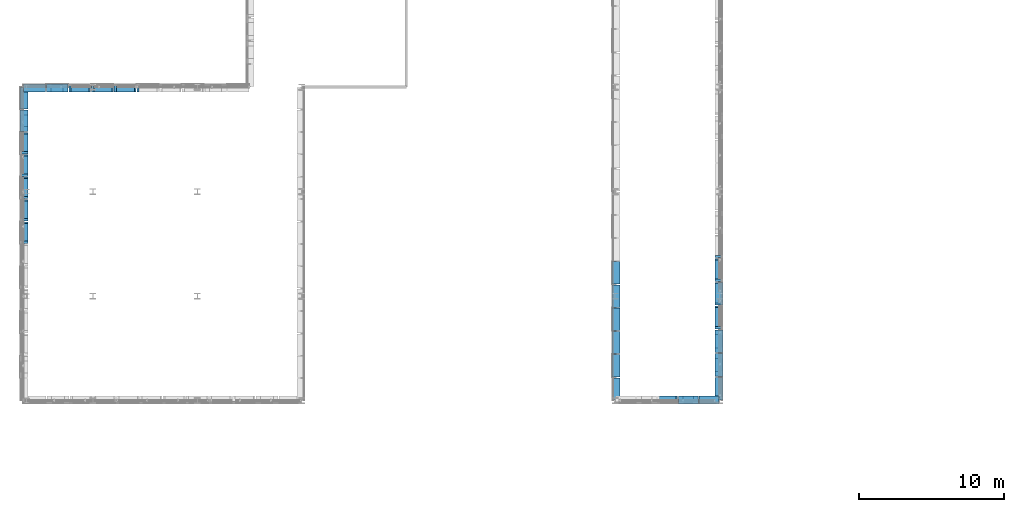
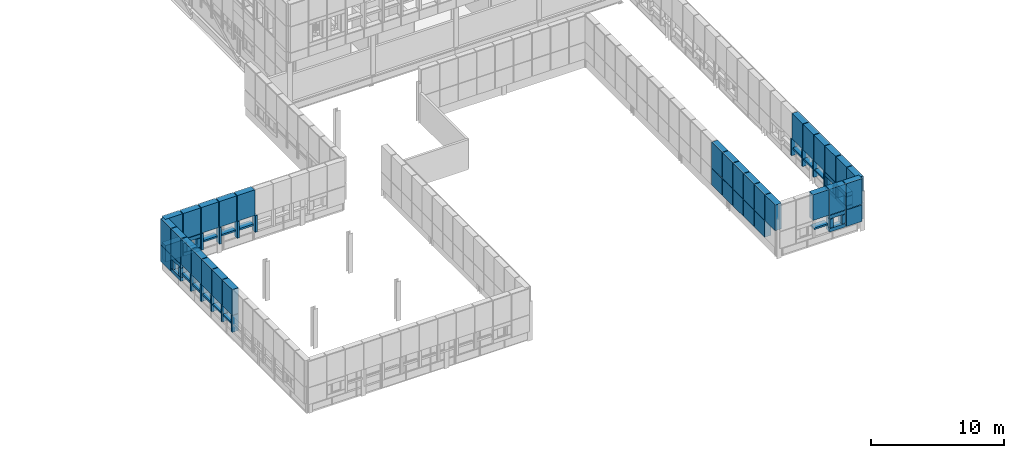
# One storey, part 64 of 96: 81 discrete accessories.
"""IFC4 building model written with IfcOpenShell, lengths in metres."""

from ifc_helpers import new_model, si_unit, direction, frame, origin, origin_2d, place, context, subcontext, project, spatial, rectangle, extrude, material, type_object, element, save


model = new_model("IFC4")

# Units and contexts
model_context = context("Model", 3, precision=1e-05, world=origin(), true_north=direction((0.0, 1.0)))
body_context = subcontext(model_context, "Body", "Model", "MODEL_VIEW")
ifc_project = project(units=[si_unit("LENGTHUNIT", "METRE"), si_unit("AREAUNIT", "SQUARE_METRE"), si_unit("VOLUMEUNIT", "CUBIC_METRE"), si_unit("PLANEANGLEUNIT", "RADIAN"), si_unit("MASSUNIT", "GRAM", prefix="KILO")], contexts=[model_context])

# Site, building, storey
site_placement = place(None, origin())
site = spatial("IfcSite", under=ifc_project, at=site_placement, CompositionType="ELEMENT")
building_placement = place(site_placement, origin())
building = spatial("IfcBuilding", under=site, at=building_placement, Name="Yarey Park Central Fire Station", CompositionType="ELEMENT")
storey_placement = place(building_placement, frame((0.0, 0.0, 14.39990234375)))
storey = spatial("IfcBuildingStorey", under=building, at=storey_placement, Name="L04", CompositionType="ELEMENT", Elevation=14.39990234375)

# Discrete accessories
ifc_material = material(Name="Stainless Steel AISI 316L", Category="steel")
discrete_accessory_type = type_object("IfcDiscreteAccessoryType", Name="ENV_BRK_SS1", PredefinedType="BRACKET", material=ifc_material)
discrete_accessory_1_placement = place(storey_placement, frame((9.64990234375, 32.510009765625, 0.875), z_axis=(0.0, 0.0, 1.0), x_axis=(1.0, 0.0, 0.0)))
element("IfcDiscreteAccessory", 1, at=discrete_accessory_1_placement, inside=storey, type_object=discrete_accessory_type, Name="BRK_PERF_L04_0056", PredefinedType="BRACKET", context=body_context, shape_type="SweptSolid", body=[
    extrude(rectangle(XDim=0.5400390625, YDim=0.159912109375, at=origin_2d()), origin(), (0.0, 0.0, 1.0), 1.52001953125),
])
discrete_accessory_2_placement = place(storey_placement, frame((9.64990234375, 33.17138671875, 1.55517578125), z_axis=(0.0, 0.0, 1.0), x_axis=(1.0, 0.0, 0.0)))
element("IfcDiscreteAccessory", 2, at=discrete_accessory_2_placement, inside=storey, type_object=discrete_accessory_type, Name="BRK_PERF_L04_0057", PredefinedType="BRACKET", context=body_context, shape_type="SweptSolid", body=[
    extrude(rectangle(XDim=0.5400390625, YDim=1.282958984375, at=origin_2d()), origin(), (0.0, 0.0, 1.0), 0.159912109375),
])
discrete_accessory_3_placement = place(storey_placement, frame((9.64990234375, 33.17138671875, 2.445068359375), z_axis=(0.0, 0.0, 1.0), x_axis=(1.0, 0.0, 0.0)))
element("IfcDiscreteAccessory", 3, at=discrete_accessory_3_placement, inside=storey, type_object=discrete_accessory_type, Name="BRK_PERF_L04_0058", PredefinedType="BRACKET", context=body_context, shape_type="SweptSolid", body=[
    extrude(rectangle(XDim=0.5400390625, YDim=1.48291015625, at=origin_2d()), origin(), (0.0, 0.0, 1.0), 2.35009765625),
])
discrete_accessory_4_placement = place(storey_placement, frame((9.64990234375, 34.052978515625, 0.875), z_axis=(0.0, 0.0, 1.0), x_axis=(1.0, 0.0, 0.0)))
element("IfcDiscreteAccessory", 4, at=discrete_accessory_4_placement, inside=storey, type_object=discrete_accessory_type, Name="BRK_PERF_L04_0063", PredefinedType="BRACKET", context=body_context, shape_type="SweptSolid", body=[
    extrude(rectangle(XDim=0.5400390625, YDim=0.159912109375, at=origin_2d()), origin(), (0.0, 0.0, 1.0), 1.52001953125),
])
discrete_accessory_5_placement = place(storey_placement, frame((9.64990234375, 34.71435546875, 1.55517578125), z_axis=(0.0, 0.0, 1.0), x_axis=(1.0, 0.0, 0.0)))
element("IfcDiscreteAccessory", 5, at=discrete_accessory_5_placement, inside=storey, type_object=discrete_accessory_type, Name="BRK_PERF_L04_0064", PredefinedType="BRACKET", context=body_context, shape_type="SweptSolid", body=[
    extrude(rectangle(XDim=0.5400390625, YDim=1.282958984375, at=origin_2d()), origin(), (0.0, 0.0, 1.0), 0.159912109375),
])
discrete_accessory_6_placement = place(storey_placement, frame((9.64990234375, 34.71435546875, 2.445068359375), z_axis=(0.0, 0.0, 1.0), x_axis=(1.0, 0.0, 0.0)))
element("IfcDiscreteAccessory", 6, at=discrete_accessory_6_placement, inside=storey, type_object=discrete_accessory_type, Name="BRK_PERF_L04_0065", PredefinedType="BRACKET", context=body_context, shape_type="SweptSolid", body=[
    extrude(rectangle(XDim=0.5400390625, YDim=1.48291015625, at=origin_2d()), origin(), (0.0, 0.0, 1.0), 2.35009765625),
])
discrete_accessory_7_placement = place(storey_placement, frame((9.64990234375, 35.595703125, 0.875), z_axis=(0.0, 0.0, 1.0), x_axis=(1.0, 0.0, 0.0)))
element("IfcDiscreteAccessory", 7, at=discrete_accessory_7_placement, inside=storey, type_object=discrete_accessory_type, Name="BRK_PERF_L04_0070", PredefinedType="BRACKET", context=body_context, shape_type="SweptSolid", body=[
    extrude(rectangle(XDim=0.5400390625, YDim=0.159912109375, at=origin_2d()), origin(), (0.0, 0.0, 1.0), 1.52001953125),
])
discrete_accessory_8_placement = place(storey_placement, frame((9.64990234375, 36.257080078125, 1.55517578125), z_axis=(0.0, 0.0, 1.0), x_axis=(1.0, 0.0, 0.0)))
element("IfcDiscreteAccessory", 8, at=discrete_accessory_8_placement, inside=storey, type_object=discrete_accessory_type, Name="BRK_PERF_L04_0071", PredefinedType="BRACKET", context=body_context, shape_type="SweptSolid", body=[
    extrude(rectangle(XDim=0.5400390625, YDim=1.282958984375, at=origin_2d()), origin(), (0.0, 0.0, 1.0), 0.159912109375),
])
discrete_accessory_9_placement = place(storey_placement, frame((9.64990234375, 36.257080078125, 2.445068359375), z_axis=(0.0, 0.0, 1.0), x_axis=(1.0, 0.0, 0.0)))
element("IfcDiscreteAccessory", 9, at=discrete_accessory_9_placement, inside=storey, type_object=discrete_accessory_type, Name="BRK_PERF_L04_0072", PredefinedType="BRACKET", context=body_context, shape_type="SweptSolid", body=[
    extrude(rectangle(XDim=0.5400390625, YDim=1.48291015625, at=origin_2d()), origin(), (0.0, 0.0, 1.0), 2.35009765625),
])
discrete_accessory_10_placement = place(storey_placement, frame((9.64990234375, 37.138671875, 0.875), z_axis=(0.0, 0.0, 1.0), x_axis=(1.0, 0.0, 0.0)))
element("IfcDiscreteAccessory", 10, at=discrete_accessory_10_placement, inside=storey, type_object=discrete_accessory_type, Name="BRK_PERF_L04_0077", PredefinedType="BRACKET", context=body_context, shape_type="SweptSolid", body=[
    extrude(rectangle(XDim=0.5400390625, YDim=0.159912109375, at=origin_2d()), origin(), (0.0, 0.0, 1.0), 1.52001953125),
])
discrete_accessory_11_placement = place(storey_placement, frame((9.64990234375, 37.800048828125, 1.55517578125), z_axis=(0.0, 0.0, 1.0), x_axis=(1.0, 0.0, 0.0)))
element("IfcDiscreteAccessory", 11, at=discrete_accessory_11_placement, inside=storey, type_object=discrete_accessory_type, Name="BRK_PERF_L04_0078", PredefinedType="BRACKET", context=body_context, shape_type="SweptSolid", body=[
    extrude(rectangle(XDim=0.5400390625, YDim=1.282958984375, at=origin_2d()), origin(), (0.0, 0.0, 1.0), 0.159912109375),
])
discrete_accessory_12_placement = place(storey_placement, frame((9.64990234375, 37.800048828125, 2.445068359375), z_axis=(0.0, 0.0, 1.0), x_axis=(1.0, 0.0, 0.0)))
element("IfcDiscreteAccessory", 12, at=discrete_accessory_12_placement, inside=storey, type_object=discrete_accessory_type, Name="BRK_PERF_L04_0079", PredefinedType="BRACKET", context=body_context, shape_type="SweptSolid", body=[
    extrude(rectangle(XDim=0.5400390625, YDim=1.48291015625, at=origin_2d()), origin(), (0.0, 0.0, 1.0), 2.35009765625),
])
discrete_accessory_13_placement = place(storey_placement, frame((9.64990234375, 38.681396484375, 0.875), z_axis=(0.0, 0.0, 1.0), x_axis=(1.0, 0.0, 0.0)))
element("IfcDiscreteAccessory", 13, at=discrete_accessory_13_placement, inside=storey, type_object=discrete_accessory_type, Name="BRK_PERF_L04_0084", PredefinedType="BRACKET", context=body_context, shape_type="SweptSolid", body=[
    extrude(rectangle(XDim=0.5400390625, YDim=0.159912109375, at=origin_2d()), origin(), (0.0, 0.0, 1.0), 1.52001953125),
])
discrete_accessory_14_placement = place(storey_placement, frame((9.64990234375, 39.343017578125, 1.55517578125), z_axis=(0.0, 0.0, 1.0), x_axis=(1.0, 0.0, 0.0)))
element("IfcDiscreteAccessory", 14, at=discrete_accessory_14_placement, inside=storey, type_object=discrete_accessory_type, Name="BRK_PERF_L04_0085", PredefinedType="BRACKET", context=body_context, shape_type="SweptSolid", body=[
    extrude(rectangle(XDim=0.5400390625, YDim=1.282958984375, at=origin_2d()), origin(), (0.0, 0.0, 1.0), 0.159912109375),
])
discrete_accessory_15_placement = place(storey_placement, frame((9.64990234375, 39.343017578125, 2.445068359375), z_axis=(0.0, 0.0, 1.0), x_axis=(1.0, 0.0, 0.0)))
element("IfcDiscreteAccessory", 15, at=discrete_accessory_15_placement, inside=storey, type_object=discrete_accessory_type, Name="BRK_PERF_L04_0086", PredefinedType="BRACKET", context=body_context, shape_type="SweptSolid", body=[
    extrude(rectangle(XDim=0.5400390625, YDim=1.48291015625, at=origin_2d()), origin(), (0.0, 0.0, 1.0), 2.35009765625),
])
for number, where, z_axis, x_axis, name in (
    (16, (9.64990234375, 40.8857421875, 0.8701171875), (0.0, 0.0, 1.0), (1.0, 0.0, 0.0), "BRK_PERF_L04_0093"),
    (17, (9.64990234375, 40.8857421875, 2.080078125), (0.0, 0.0, 1.0), (1.0, 0.0, 0.0), "BRK_PERF_L04_0094"),
):
    element("IfcDiscreteAccessory", number, at=place(storey_placement, frame(where, z_axis=z_axis, x_axis=x_axis)), inside=storey, type_object=discrete_accessory_type, Name=name, PredefinedType="BRACKET", context=body_context, shape_type="SweptSolid", body=[
        extrude(rectangle(XDim=0.5400390625, YDim=1.48291015625, at=origin_2d()), origin(), (0.0, 0.0, 1.0), 0.320068359375),
    ])
for number, where, z_axis, x_axis, name in (
    (18, (9.64990234375, 40.314208984375, 1.23486328125), (0.0, 0.0, 1.0), (1.0, 0.0, 0.0), "BRK_PERF_L04_0095"),
    (19, (9.64990234375, 41.45703125, 1.23486328125), (0.0, 0.0, 1.0), (1.0, 0.0, 0.0), "BRK_PERF_L04_0096"),
):
    element("IfcDiscreteAccessory", number, at=place(storey_placement, frame(where, z_axis=z_axis, x_axis=x_axis)), inside=storey, type_object=discrete_accessory_type, Name=name, PredefinedType="BRACKET", context=body_context, shape_type="SweptSolid", body=[
        extrude(rectangle(XDim=0.5400390625, YDim=0.320068359375, at=origin_2d()), origin(), (0.0, 0.0, 1.0), 0.800048828125),
    ])
discrete_accessory_16_placement = place(storey_placement, frame((9.64990234375, 40.8857421875, 2.445068359375), z_axis=(0.0, 0.0, 1.0), x_axis=(1.0, 0.0, 0.0)))
element("IfcDiscreteAccessory", 20, at=discrete_accessory_16_placement, inside=storey, type_object=discrete_accessory_type, Name="BRK_PERF_L04_0097", PredefinedType="BRACKET", context=body_context, shape_type="SweptSolid", body=[
    extrude(rectangle(XDim=0.5400390625, YDim=1.48291015625, at=origin_2d()), origin(), (0.0, 0.0, 1.0), 2.35009765625),
])
discrete_accessory_17_placement = place(storey_placement, frame((9.64990234375, 42.4287109375, 0.875), z_axis=(0.0, 0.0, 1.0), x_axis=(1.0, 0.0, 0.0)))
element("IfcDiscreteAccessory", 21, at=discrete_accessory_17_placement, inside=storey, type_object=discrete_accessory_type, Name="BRK_PERF_L04_0101", PredefinedType="BRACKET", context=body_context, shape_type="SweptSolid", body=[
    extrude(rectangle(XDim=0.5400390625, YDim=1.48291015625, at=origin_2d()), origin(), (0.0, 0.0, 1.0), 1.52001953125),
])
discrete_accessory_18_placement = place(storey_placement, frame((9.64990234375, 42.4287109375, 2.445068359375), z_axis=(0.0, 0.0, 1.0), x_axis=(1.0, 0.0, 0.0)))
element("IfcDiscreteAccessory", 22, at=discrete_accessory_18_placement, inside=storey, type_object=discrete_accessory_type, Name="BRK_PERF_L04_0102", PredefinedType="BRACKET", context=body_context, shape_type="SweptSolid", body=[
    extrude(rectangle(XDim=0.5400390625, YDim=1.48291015625, at=origin_2d()), origin(), (0.0, 0.0, 1.0), 2.35009765625),
])
discrete_accessory_19_placement = place(storey_placement, frame((10.3798828125, 43.14990234375, 0.875), z_axis=(0.0, 0.0, 1.0), x_axis=(1.0, 0.0, 0.0)))
element("IfcDiscreteAccessory", 23, at=discrete_accessory_19_placement, inside=storey, type_object=discrete_accessory_type, Name="BRK_PERF_L04_0194", PredefinedType="BRACKET", context=body_context, shape_type="SweptSolid", body=[
    extrude(rectangle(XDim=1.5, YDim=0.5400390625, at=origin_2d()), origin(), (0.0, 0.0, 1.0), 1.52001953125),
])
discrete_accessory_20_placement = place(storey_placement, frame((10.3798828125, 43.14990234375, 2.445068359375), z_axis=(0.0, 0.0, 1.0), x_axis=(1.0, 0.0, 0.0)))
element("IfcDiscreteAccessory", 24, at=discrete_accessory_20_placement, inside=storey, type_object=discrete_accessory_type, Name="BRK_PERF_L04_0195", PredefinedType="BRACKET", context=body_context, shape_type="SweptSolid", body=[
    extrude(rectangle(XDim=1.5, YDim=0.5400390625, at=origin_2d()), origin(), (0.0, 0.0, 1.0), 2.35009765625),
])
for number, where, z_axis, x_axis, name in (
    (25, (11.93994140625, 43.14990234375, 0.8701171875), (0.0, 0.0, 1.0), (1.0, 0.0, 0.0), "BRK_PERF_L04_0202"),
    (26, (11.93994140625, 43.14990234375, 2.080078125), (0.0, 0.0, 1.0), (1.0, 0.0, 0.0), "BRK_PERF_L04_0203"),
):
    element("IfcDiscreteAccessory", number, at=place(storey_placement, frame(where, z_axis=z_axis, x_axis=x_axis)), inside=storey, type_object=discrete_accessory_type, Name=name, PredefinedType="BRACKET", context=body_context, shape_type="SweptSolid", body=[
        extrude(rectangle(XDim=1.5, YDim=0.5400390625, at=origin_2d()), origin(), (0.0, 0.0, 1.0), 0.320068359375),
    ])
for number, where, z_axis, x_axis, name in (
    (27, (11.360107421875, 43.14990234375, 1.23486328125), (0.0, 0.0, 1.0), (1.0, 0.0, 0.0), "BRK_PERF_L04_0204"),
    (28, (12.52001953125, 43.14990234375, 1.23486328125), (0.0, 0.0, 1.0), (1.0, 0.0, 0.0), "BRK_PERF_L04_0205"),
):
    element("IfcDiscreteAccessory", number, at=place(storey_placement, frame(where, z_axis=z_axis, x_axis=x_axis)), inside=storey, type_object=discrete_accessory_type, Name=name, PredefinedType="BRACKET", context=body_context, shape_type="SweptSolid", body=[
        extrude(rectangle(XDim=0.320068359375, YDim=0.5400390625, at=origin_2d()), origin(), (0.0, 0.0, 1.0), 0.800048828125),
    ])
discrete_accessory_21_placement = place(storey_placement, frame((11.93994140625, 43.14990234375, 2.445068359375), z_axis=(0.0, 0.0, 1.0), x_axis=(1.0, 0.0, 0.0)))
element("IfcDiscreteAccessory", 29, at=discrete_accessory_21_placement, inside=storey, type_object=discrete_accessory_type, Name="BRK_PERF_L04_0206", PredefinedType="BRACKET", context=body_context, shape_type="SweptSolid", body=[
    extrude(rectangle(XDim=1.5, YDim=0.5400390625, at=origin_2d()), origin(), (0.0, 0.0, 1.0), 2.35009765625),
])
discrete_accessory_22_placement = place(storey_placement, frame((12.830078125, 43.14990234375, 0.875), z_axis=(0.0, 0.0, 1.0), x_axis=(1.0, 0.0, 0.0)))
element("IfcDiscreteAccessory", 30, at=discrete_accessory_22_placement, inside=storey, type_object=discrete_accessory_type, Name="BRK_PERF_L04_0211", PredefinedType="BRACKET", context=body_context, shape_type="SweptSolid", body=[
    extrude(rectangle(XDim=0.159912109375, YDim=0.5400390625, at=origin_2d()), origin(), (0.0, 0.0, 1.0), 1.52001953125),
])
discrete_accessory_23_placement = place(storey_placement, frame((13.5, 43.14990234375, 1.55517578125), z_axis=(0.0, 0.0, 1.0), x_axis=(1.0, 0.0, 0.0)))
element("IfcDiscreteAccessory", 31, at=discrete_accessory_23_placement, inside=storey, type_object=discrete_accessory_type, Name="BRK_PERF_L04_0212", PredefinedType="BRACKET", context=body_context, shape_type="SweptSolid", body=[
    extrude(rectangle(XDim=1.300048828125, YDim=0.5400390625, at=origin_2d()), origin(), (0.0, 0.0, 1.0), 0.159912109375),
])
discrete_accessory_24_placement = place(storey_placement, frame((13.5, 43.14990234375, 2.445068359375), z_axis=(0.0, 0.0, 1.0), x_axis=(1.0, 0.0, 0.0)))
element("IfcDiscreteAccessory", 32, at=discrete_accessory_24_placement, inside=storey, type_object=discrete_accessory_type, Name="BRK_PERF_L04_0213", PredefinedType="BRACKET", context=body_context, shape_type="SweptSolid", body=[
    extrude(rectangle(XDim=1.5, YDim=0.5400390625, at=origin_2d()), origin(), (0.0, 0.0, 1.0), 2.35009765625),
])
discrete_accessory_25_placement = place(storey_placement, frame((14.389892578125, 43.14990234375, 0.875), z_axis=(0.0, 0.0, 1.0), x_axis=(1.0, 0.0, 0.0)))
element("IfcDiscreteAccessory", 33, at=discrete_accessory_25_placement, inside=storey, type_object=discrete_accessory_type, Name="BRK_PERF_L04_0218", PredefinedType="BRACKET", context=body_context, shape_type="SweptSolid", body=[
    extrude(rectangle(XDim=0.159912109375, YDim=0.5400390625, at=origin_2d()), origin(), (0.0, 0.0, 1.0), 1.52001953125),
])
discrete_accessory_26_placement = place(storey_placement, frame((15.06005859375, 43.14990234375, 1.55517578125), z_axis=(0.0, 0.0, 1.0), x_axis=(1.0, 0.0, 0.0)))
element("IfcDiscreteAccessory", 34, at=discrete_accessory_26_placement, inside=storey, type_object=discrete_accessory_type, Name="BRK_PERF_L04_0219", PredefinedType="BRACKET", context=body_context, shape_type="SweptSolid", body=[
    extrude(rectangle(XDim=1.300048828125, YDim=0.5400390625, at=origin_2d()), origin(), (0.0, 0.0, 1.0), 0.159912109375),
])
discrete_accessory_27_placement = place(storey_placement, frame((15.06005859375, 43.14990234375, 2.445068359375), z_axis=(0.0, 0.0, 1.0), x_axis=(1.0, 0.0, 0.0)))
element("IfcDiscreteAccessory", 35, at=discrete_accessory_27_placement, inside=storey, type_object=discrete_accessory_type, Name="BRK_PERF_L04_0220", PredefinedType="BRACKET", context=body_context, shape_type="SweptSolid", body=[
    extrude(rectangle(XDim=1.5, YDim=0.5400390625, at=origin_2d()), origin(), (0.0, 0.0, 1.0), 2.35009765625),
])
discrete_accessory_28_placement = place(storey_placement, frame((15.949951171875, 43.14990234375, 0.875), z_axis=(0.0, 0.0, 1.0), x_axis=(1.0, 0.0, 0.0)))
element("IfcDiscreteAccessory", 36, at=discrete_accessory_28_placement, inside=storey, type_object=discrete_accessory_type, Name="BRK_PERF_L04_0225", PredefinedType="BRACKET", context=body_context, shape_type="SweptSolid", body=[
    extrude(rectangle(XDim=0.159912109375, YDim=0.5400390625, at=origin_2d()), origin(), (0.0, 0.0, 1.0), 1.52001953125),
])
discrete_accessory_29_placement = place(storey_placement, frame((16.6201171875, 43.14990234375, 1.55517578125), z_axis=(0.0, 0.0, 1.0), x_axis=(1.0, 0.0, 0.0)))
element("IfcDiscreteAccessory", 37, at=discrete_accessory_29_placement, inside=storey, type_object=discrete_accessory_type, Name="BRK_PERF_L04_0226", PredefinedType="BRACKET", context=body_context, shape_type="SweptSolid", body=[
    extrude(rectangle(XDim=1.300048828125, YDim=0.5400390625, at=origin_2d()), origin(), (0.0, 0.0, 1.0), 0.159912109375),
])
discrete_accessory_30_placement = place(storey_placement, frame((16.6201171875, 43.14990234375, 2.445068359375), z_axis=(0.0, 0.0, 1.0), x_axis=(1.0, 0.0, 0.0)))
element("IfcDiscreteAccessory", 38, at=discrete_accessory_30_placement, inside=storey, type_object=discrete_accessory_type, Name="BRK_PERF_L04_0227", PredefinedType="BRACKET", context=body_context, shape_type="SweptSolid", body=[
    extrude(rectangle(XDim=1.5, YDim=0.5400390625, at=origin_2d()), origin(), (0.0, 0.0, 1.0), 2.35009765625),
])
discrete_accessory_31_placement = place(storey_placement, frame((17.510009765625, 43.14990234375, 0.875), z_axis=(0.0, 0.0, 1.0), x_axis=(1.0, 0.0, 0.0)))
element("IfcDiscreteAccessory", 39, at=discrete_accessory_31_placement, inside=storey, type_object=discrete_accessory_type, Name="BRK_PERF_L04_0232", PredefinedType="BRACKET", context=body_context, shape_type="SweptSolid", body=[
    extrude(rectangle(XDim=0.159912109375, YDim=0.5400390625, at=origin_2d()), origin(), (0.0, 0.0, 1.0), 1.52001953125),
])
discrete_accessory_32_placement = place(storey_placement, frame((54.0, 21.64990234375, 1.55517578125), z_axis=(0.0, 0.0, 1.0), x_axis=(1.0, 0.0, 0.0)))
element("IfcDiscreteAccessory", 40, at=discrete_accessory_32_placement, inside=storey, type_object=discrete_accessory_type, Name="BRK_PERF_L04_0286", PredefinedType="BRACKET", context=body_context, shape_type="SweptSolid", body=[
    extrude(rectangle(XDim=1.179931640625, YDim=0.5400390625, at=origin_2d()), origin(), (0.0, 0.0, 1.0), 0.159912109375),
])
discrete_accessory_33_placement = place(storey_placement, frame((54.0, 21.64990234375, 2.445068359375), z_axis=(0.0, 0.0, 1.0), x_axis=(1.0, 0.0, 0.0)))
element("IfcDiscreteAccessory", 41, at=discrete_accessory_33_placement, inside=storey, type_object=discrete_accessory_type, Name="BRK_PERF_L04_0287", PredefinedType="BRACKET", context=body_context, shape_type="SweptSolid", body=[
    extrude(rectangle(XDim=1.3798828125, YDim=0.5400390625, at=origin_2d()), origin(), (0.0, 0.0, 1.0), 2.35009765625),
])
for number, where, z_axis, x_axis, name in (
    (42, (55.43994140625, 21.64990234375, 0.8701171875), (0.0, 0.0, 1.0), (1.0, 0.0, 0.0), "BRK_PERF_L04_0294"),
    (43, (55.43994140625, 21.64990234375, 2.080078125), (0.0, 0.0, 1.0), (1.0, 0.0, 0.0), "BRK_PERF_L04_0295"),
):
    element("IfcDiscreteAccessory", number, at=place(storey_placement, frame(where, z_axis=z_axis, x_axis=x_axis)), inside=storey, type_object=discrete_accessory_type, Name=name, PredefinedType="BRACKET", context=body_context, shape_type="SweptSolid", body=[
        extrude(rectangle(XDim=1.3798828125, YDim=0.5400390625, at=origin_2d()), origin(), (0.0, 0.0, 1.0), 0.320068359375),
    ])
for number, where, z_axis, x_axis, name in (
    (44, (54.919921875, 21.64990234375, 1.23486328125), (0.0, 0.0, 1.0), (1.0, 0.0, 0.0), "BRK_PERF_L04_0296"),
    (45, (55.9599609375, 21.64990234375, 1.23486328125), (0.0, 0.0, 1.0), (1.0, 0.0, 0.0), "BRK_PERF_L04_0297"),
):
    element("IfcDiscreteAccessory", number, at=place(storey_placement, frame(where, z_axis=z_axis, x_axis=x_axis)), inside=storey, type_object=discrete_accessory_type, Name=name, PredefinedType="BRACKET", context=body_context, shape_type="SweptSolid", body=[
        extrude(rectangle(XDim=0.320068359375, YDim=0.5400390625, at=origin_2d()), origin(), (0.0, 0.0, 1.0), 0.800048828125),
    ])
discrete_accessory_34_placement = place(storey_placement, frame((55.43994140625, 21.64990234375, 2.445068359375), z_axis=(0.0, 0.0, 1.0), x_axis=(1.0, 0.0, 0.0)))
element("IfcDiscreteAccessory", 46, at=discrete_accessory_34_placement, inside=storey, type_object=discrete_accessory_type, Name="BRK_PERF_L04_0298", PredefinedType="BRACKET", context=body_context, shape_type="SweptSolid", body=[
    extrude(rectangle(XDim=1.3798828125, YDim=0.5400390625, at=origin_2d()), origin(), (0.0, 0.0, 1.0), 2.35009765625),
])
discrete_accessory_35_placement = place(storey_placement, frame((56.8798828125, 21.64990234375, 0.875), z_axis=(0.0, 0.0, 1.0), x_axis=(1.0, 0.0, 0.0)))
element("IfcDiscreteAccessory", 47, at=discrete_accessory_35_placement, inside=storey, type_object=discrete_accessory_type, Name="BRK_PERF_L04_0302", PredefinedType="BRACKET", context=body_context, shape_type="SweptSolid", body=[
    extrude(rectangle(XDim=1.3798828125, YDim=0.5400390625, at=origin_2d()), origin(), (0.0, 0.0, 1.0), 1.52001953125),
])
discrete_accessory_36_placement = place(storey_placement, frame((56.8798828125, 21.64990234375, 2.445068359375), z_axis=(0.0, 0.0, 1.0), x_axis=(1.0, 0.0, 0.0)))
element("IfcDiscreteAccessory", 48, at=discrete_accessory_36_placement, inside=storey, type_object=discrete_accessory_type, Name="BRK_PERF_L04_0303", PredefinedType="BRACKET", context=body_context, shape_type="SweptSolid", body=[
    extrude(rectangle(XDim=1.3798828125, YDim=0.5400390625, at=origin_2d()), origin(), (0.0, 0.0, 1.0), 2.35009765625),
])
discrete_accessory_37_placement = place(storey_placement, frame((57.550048828125, 22.418212890625, 0.875), z_axis=(0.0, 0.0, 1.0), x_axis=(1.0, 0.0, 0.0)))
element("IfcDiscreteAccessory", 49, at=discrete_accessory_37_placement, inside=storey, type_object=discrete_accessory_type, Name="BRK_PERF_L04_0307", PredefinedType="BRACKET", context=body_context, shape_type="SweptSolid", body=[
    extrude(rectangle(XDim=0.5400390625, YDim=1.576416015625, at=origin_2d()), origin(), (0.0, 0.0, 1.0), 1.52001953125),
])
discrete_accessory_38_placement = place(storey_placement, frame((57.550048828125, 22.418212890625, 2.445068359375), z_axis=(0.0, 0.0, 1.0), x_axis=(1.0, 0.0, 0.0)))
element("IfcDiscreteAccessory", 50, at=discrete_accessory_38_placement, inside=storey, type_object=discrete_accessory_type, Name="BRK_PERF_L04_0308", PredefinedType="BRACKET", context=body_context, shape_type="SweptSolid", body=[
    extrude(rectangle(XDim=0.5400390625, YDim=1.576416015625, at=origin_2d()), origin(), (0.0, 0.0, 1.0), 2.35009765625),
])
for number, where, z_axis, x_axis, name in (
    (51, (57.550048828125, 24.054443359375, 0.8701171875), (0.0, 0.0, 1.0), (1.0, 0.0, 0.0), "BRK_PERF_L04_0315"),
    (52, (57.550048828125, 24.054443359375, 2.080078125), (0.0, 0.0, 1.0), (1.0, 0.0, 0.0), "BRK_PERF_L04_0316"),
):
    element("IfcDiscreteAccessory", number, at=place(storey_placement, frame(where, z_axis=z_axis, x_axis=x_axis)), inside=storey, type_object=discrete_accessory_type, Name=name, PredefinedType="BRACKET", context=body_context, shape_type="SweptSolid", body=[
        extrude(rectangle(XDim=0.5400390625, YDim=1.576416015625, at=origin_2d()), origin(), (0.0, 0.0, 1.0), 0.320068359375),
    ])
for number, where, z_axis, x_axis, name in (
    (53, (57.550048828125, 23.436279296875, 1.23486328125), (0.0, 0.0, 1.0), (1.0, 0.0, 0.0), "BRK_PERF_L04_0317"),
    (54, (57.550048828125, 24.672607421875, 1.23486328125), (0.0, 0.0, 1.0), (1.0, 0.0, 0.0), "BRK_PERF_L04_0318"),
):
    element("IfcDiscreteAccessory", number, at=place(storey_placement, frame(where, z_axis=z_axis, x_axis=x_axis)), inside=storey, type_object=discrete_accessory_type, Name=name, PredefinedType="BRACKET", context=body_context, shape_type="SweptSolid", body=[
        extrude(rectangle(XDim=0.5400390625, YDim=0.320068359375, at=origin_2d()), origin(), (0.0, 0.0, 1.0), 0.800048828125),
    ])
discrete_accessory_39_placement = place(storey_placement, frame((57.550048828125, 24.054443359375, 2.445068359375), z_axis=(0.0, 0.0, 1.0), x_axis=(1.0, 0.0, 0.0)))
element("IfcDiscreteAccessory", 55, at=discrete_accessory_39_placement, inside=storey, type_object=discrete_accessory_type, Name="BRK_PERF_L04_0319", PredefinedType="BRACKET", context=body_context, shape_type="SweptSolid", body=[
    extrude(rectangle(XDim=0.5400390625, YDim=1.576416015625, at=origin_2d()), origin(), (0.0, 0.0, 1.0), 2.35009765625),
])
for number, where, z_axis, x_axis, name in (
    (56, (57.550048828125, 25.69091796875, 0.8701171875), (0.0, 0.0, 1.0), (1.0, 0.0, 0.0), "BRK_PERF_L04_0326"),
    (57, (57.550048828125, 25.69091796875, 2.080078125), (0.0, 0.0, 1.0), (1.0, 0.0, 0.0), "BRK_PERF_L04_0327"),
):
    element("IfcDiscreteAccessory", number, at=place(storey_placement, frame(where, z_axis=z_axis, x_axis=x_axis)), inside=storey, type_object=discrete_accessory_type, Name=name, PredefinedType="BRACKET", context=body_context, shape_type="SweptSolid", body=[
        extrude(rectangle(XDim=0.5400390625, YDim=1.576416015625, at=origin_2d()), origin(), (0.0, 0.0, 1.0), 0.320068359375),
    ])
for number, where, z_axis, x_axis, name in (
    (58, (57.550048828125, 25.07275390625, 1.23486328125), (0.0, 0.0, 1.0), (1.0, 0.0, 0.0), "BRK_PERF_L04_0328"),
    (59, (57.550048828125, 26.30908203125, 1.23486328125), (0.0, 0.0, 1.0), (1.0, 0.0, 0.0), "BRK_PERF_L04_0329"),
):
    element("IfcDiscreteAccessory", number, at=place(storey_placement, frame(where, z_axis=z_axis, x_axis=x_axis)), inside=storey, type_object=discrete_accessory_type, Name=name, PredefinedType="BRACKET", context=body_context, shape_type="SweptSolid", body=[
        extrude(rectangle(XDim=0.5400390625, YDim=0.320068359375, at=origin_2d()), origin(), (0.0, 0.0, 1.0), 0.800048828125),
    ])
discrete_accessory_40_placement = place(storey_placement, frame((57.550048828125, 25.69091796875, 2.445068359375), z_axis=(0.0, 0.0, 1.0), x_axis=(1.0, 0.0, 0.0)))
element("IfcDiscreteAccessory", 60, at=discrete_accessory_40_placement, inside=storey, type_object=discrete_accessory_type, Name="BRK_PERF_L04_0330", PredefinedType="BRACKET", context=body_context, shape_type="SweptSolid", body=[
    extrude(rectangle(XDim=0.5400390625, YDim=1.576416015625, at=origin_2d()), origin(), (0.0, 0.0, 1.0), 2.35009765625),
])
discrete_accessory_41_placement = place(storey_placement, frame((57.550048828125, 26.619140625, 0.875), z_axis=(0.0, 0.0, 1.0), x_axis=(1.0, 0.0, 0.0)))
element("IfcDiscreteAccessory", 61, at=discrete_accessory_41_placement, inside=storey, type_object=discrete_accessory_type, Name="BRK_PERF_L04_0335", PredefinedType="BRACKET", context=body_context, shape_type="SweptSolid", body=[
    extrude(rectangle(XDim=0.5400390625, YDim=0.159912109375, at=origin_2d()), origin(), (0.0, 0.0, 1.0), 1.52001953125),
])
discrete_accessory_42_placement = place(storey_placement, frame((57.550048828125, 27.327392578125, 1.55517578125), z_axis=(0.0, 0.0, 1.0), x_axis=(1.0, 0.0, 0.0)))
element("IfcDiscreteAccessory", 62, at=discrete_accessory_42_placement, inside=storey, type_object=discrete_accessory_type, Name="BRK_PERF_L04_0336", PredefinedType="BRACKET", context=body_context, shape_type="SweptSolid", body=[
    extrude(rectangle(XDim=0.5400390625, YDim=1.37646484375, at=origin_2d()), origin(), (0.0, 0.0, 1.0), 0.159912109375),
])
discrete_accessory_43_placement = place(storey_placement, frame((57.550048828125, 27.327392578125, 2.445068359375), z_axis=(0.0, 0.0, 1.0), x_axis=(1.0, 0.0, 0.0)))
element("IfcDiscreteAccessory", 63, at=discrete_accessory_43_placement, inside=storey, type_object=discrete_accessory_type, Name="BRK_PERF_L04_0337", PredefinedType="BRACKET", context=body_context, shape_type="SweptSolid", body=[
    extrude(rectangle(XDim=0.5400390625, YDim=1.576416015625, at=origin_2d()), origin(), (0.0, 0.0, 1.0), 2.35009765625),
])
discrete_accessory_44_placement = place(storey_placement, frame((57.550048828125, 28.25537109375, 0.875), z_axis=(0.0, 0.0, 1.0), x_axis=(1.0, 0.0, 0.0)))
element("IfcDiscreteAccessory", 64, at=discrete_accessory_44_placement, inside=storey, type_object=discrete_accessory_type, Name="BRK_PERF_L04_0342", PredefinedType="BRACKET", context=body_context, shape_type="SweptSolid", body=[
    extrude(rectangle(XDim=0.5400390625, YDim=0.159912109375, at=origin_2d()), origin(), (0.0, 0.0, 1.0), 1.52001953125),
])
discrete_accessory_45_placement = place(storey_placement, frame((57.550048828125, 28.963623046875, 1.55517578125), z_axis=(0.0, 0.0, 1.0), x_axis=(1.0, 0.0, 0.0)))
element("IfcDiscreteAccessory", 65, at=discrete_accessory_45_placement, inside=storey, type_object=discrete_accessory_type, Name="BRK_PERF_L04_0343", PredefinedType="BRACKET", context=body_context, shape_type="SweptSolid", body=[
    extrude(rectangle(XDim=0.5400390625, YDim=1.37646484375, at=origin_2d()), origin(), (0.0, 0.0, 1.0), 0.159912109375),
])
discrete_accessory_46_placement = place(storey_placement, frame((57.550048828125, 28.963623046875, 2.445068359375), z_axis=(0.0, 0.0, 1.0), x_axis=(1.0, 0.0, 0.0)))
element("IfcDiscreteAccessory", 66, at=discrete_accessory_46_placement, inside=storey, type_object=discrete_accessory_type, Name="BRK_PERF_L04_0344", PredefinedType="BRACKET", context=body_context, shape_type="SweptSolid", body=[
    extrude(rectangle(XDim=0.5400390625, YDim=1.576416015625, at=origin_2d()), origin(), (0.0, 0.0, 1.0), 2.35009765625),
])
discrete_accessory_47_placement = place(storey_placement, frame((57.550048828125, 29.891845703125, 0.875), z_axis=(0.0, 0.0, 1.0), x_axis=(1.0, 0.0, 0.0)))
element("IfcDiscreteAccessory", 67, at=discrete_accessory_47_placement, inside=storey, type_object=discrete_accessory_type, Name="BRK_PERF_L04_0349", PredefinedType="BRACKET", context=body_context, shape_type="SweptSolid", body=[
    extrude(rectangle(XDim=0.5400390625, YDim=0.159912109375, at=origin_2d()), origin(), (0.0, 0.0, 1.0), 1.52001953125),
])
discrete_accessory_48_placement = place(storey_placement, frame((57.550048828125, 30.60009765625, 1.55517578125), z_axis=(0.0, 0.0, 1.0), x_axis=(1.0, 0.0, 0.0)))
element("IfcDiscreteAccessory", 68, at=discrete_accessory_48_placement, inside=storey, type_object=discrete_accessory_type, Name="BRK_PERF_L04_0350", PredefinedType="BRACKET", context=body_context, shape_type="SweptSolid", body=[
    extrude(rectangle(XDim=0.5400390625, YDim=1.37646484375, at=origin_2d()), origin(), (0.0, 0.0, 1.0), 0.159912109375),
])
discrete_accessory_49_placement = place(storey_placement, frame((57.550048828125, 30.60009765625, 2.445068359375), z_axis=(0.0, 0.0, 1.0), x_axis=(1.0, 0.0, 0.0)))
element("IfcDiscreteAccessory", 69, at=discrete_accessory_49_placement, inside=storey, type_object=discrete_accessory_type, Name="BRK_PERF_L04_0351", PredefinedType="BRACKET", context=body_context, shape_type="SweptSolid", body=[
    extrude(rectangle(XDim=0.5400390625, YDim=1.576416015625, at=origin_2d()), origin(), (0.0, 0.0, 1.0), 2.35009765625),
])
discrete_accessory_50_placement = place(storey_placement, frame((57.550048828125, 31.5283203125, 0.875), z_axis=(0.0, 0.0, 1.0), x_axis=(1.0, 0.0, 0.0)))
element("IfcDiscreteAccessory", 70, at=discrete_accessory_50_placement, inside=storey, type_object=discrete_accessory_type, Name="BRK_PERF_L04_0356", PredefinedType="BRACKET", context=body_context, shape_type="SweptSolid", body=[
    extrude(rectangle(XDim=0.5400390625, YDim=0.159912109375, at=origin_2d()), origin(), (0.0, 0.0, 1.0), 1.52001953125),
])
discrete_accessory_51_placement = place(storey_placement, frame((50.449951171875, 22.39990234375, 2.445068359375), z_axis=(0.0, 0.0, 1.0), x_axis=(1.0, 0.0, 0.0)))
element("IfcDiscreteAccessory", 71, at=discrete_accessory_51_placement, inside=storey, type_object=discrete_accessory_type, Name="BRK_PERF_L04_0991", PredefinedType="BRACKET", context=body_context, shape_type="SweptSolid", body=[
    extrude(rectangle(XDim=0.5400390625, YDim=1.5400390625, at=origin_2d()), origin(), (0.0, 0.0, 1.0), 2.35009765625),
])
discrete_accessory_52_placement = place(storey_placement, frame((50.449951171875, 24.0, 0.875), z_axis=(0.0, 0.0, 1.0), x_axis=(1.0, 0.0, 0.0)))
element("IfcDiscreteAccessory", 72, at=discrete_accessory_52_placement, inside=storey, type_object=discrete_accessory_type, Name="BRK_PERF_L04_0995", PredefinedType="BRACKET", context=body_context, shape_type="SweptSolid", body=[
    extrude(rectangle(XDim=0.5400390625, YDim=1.5400390625, at=origin_2d()), origin(), (0.0, 0.0, 1.0), 1.52001953125),
])
discrete_accessory_53_placement = place(storey_placement, frame((50.449951171875, 24.0, 2.445068359375), z_axis=(0.0, 0.0, 1.0), x_axis=(1.0, 0.0, 0.0)))
element("IfcDiscreteAccessory", 73, at=discrete_accessory_53_placement, inside=storey, type_object=discrete_accessory_type, Name="BRK_PERF_L04_0996", PredefinedType="BRACKET", context=body_context, shape_type="SweptSolid", body=[
    extrude(rectangle(XDim=0.5400390625, YDim=1.5400390625, at=origin_2d()), origin(), (0.0, 0.0, 1.0), 2.35009765625),
])
discrete_accessory_54_placement = place(storey_placement, frame((50.449951171875, 25.60009765625, 0.875), z_axis=(0.0, 0.0, 1.0), x_axis=(1.0, 0.0, 0.0)))
element("IfcDiscreteAccessory", 74, at=discrete_accessory_54_placement, inside=storey, type_object=discrete_accessory_type, Name="BRK_PERF_L04_1000", PredefinedType="BRACKET", context=body_context, shape_type="SweptSolid", body=[
    extrude(rectangle(XDim=0.5400390625, YDim=1.5400390625, at=origin_2d()), origin(), (0.0, 0.0, 1.0), 1.52001953125),
])
discrete_accessory_55_placement = place(storey_placement, frame((50.449951171875, 25.60009765625, 2.445068359375), z_axis=(0.0, 0.0, 1.0), x_axis=(1.0, 0.0, 0.0)))
element("IfcDiscreteAccessory", 75, at=discrete_accessory_55_placement, inside=storey, type_object=discrete_accessory_type, Name="BRK_PERF_L04_1001", PredefinedType="BRACKET", context=body_context, shape_type="SweptSolid", body=[
    extrude(rectangle(XDim=0.5400390625, YDim=1.5400390625, at=origin_2d()), origin(), (0.0, 0.0, 1.0), 2.35009765625),
])
discrete_accessory_56_placement = place(storey_placement, frame((50.449951171875, 27.199951171875, 0.875), z_axis=(0.0, 0.0, 1.0), x_axis=(1.0, 0.0, 0.0)))
element("IfcDiscreteAccessory", 76, at=discrete_accessory_56_placement, inside=storey, type_object=discrete_accessory_type, Name="BRK_PERF_L04_1005", PredefinedType="BRACKET", context=body_context, shape_type="SweptSolid", body=[
    extrude(rectangle(XDim=0.5400390625, YDim=1.5400390625, at=origin_2d()), origin(), (0.0, 0.0, 1.0), 1.52001953125),
])
discrete_accessory_57_placement = place(storey_placement, frame((50.449951171875, 27.199951171875, 2.445068359375), z_axis=(0.0, 0.0, 1.0), x_axis=(1.0, 0.0, 0.0)))
element("IfcDiscreteAccessory", 77, at=discrete_accessory_57_placement, inside=storey, type_object=discrete_accessory_type, Name="BRK_PERF_L04_1006", PredefinedType="BRACKET", context=body_context, shape_type="SweptSolid", body=[
    extrude(rectangle(XDim=0.5400390625, YDim=1.5400390625, at=origin_2d()), origin(), (0.0, 0.0, 1.0), 2.35009765625),
])
discrete_accessory_58_placement = place(storey_placement, frame((50.449951171875, 28.800048828125, 0.875), z_axis=(0.0, 0.0, 1.0), x_axis=(1.0, 0.0, 0.0)))
element("IfcDiscreteAccessory", 78, at=discrete_accessory_58_placement, inside=storey, type_object=discrete_accessory_type, Name="BRK_PERF_L04_1010", PredefinedType="BRACKET", context=body_context, shape_type="SweptSolid", body=[
    extrude(rectangle(XDim=0.5400390625, YDim=1.5400390625, at=origin_2d()), origin(), (0.0, 0.0, 1.0), 1.52001953125),
])
discrete_accessory_59_placement = place(storey_placement, frame((50.449951171875, 28.800048828125, 2.445068359375), z_axis=(0.0, 0.0, 1.0), x_axis=(1.0, 0.0, 0.0)))
element("IfcDiscreteAccessory", 79, at=discrete_accessory_59_placement, inside=storey, type_object=discrete_accessory_type, Name="BRK_PERF_L04_1011", PredefinedType="BRACKET", context=body_context, shape_type="SweptSolid", body=[
    extrude(rectangle(XDim=0.5400390625, YDim=1.5400390625, at=origin_2d()), origin(), (0.0, 0.0, 1.0), 2.35009765625),
])
discrete_accessory_60_placement = place(storey_placement, frame((50.449951171875, 30.39990234375, 0.875), z_axis=(0.0, 0.0, 1.0), x_axis=(1.0, 0.0, 0.0)))
element("IfcDiscreteAccessory", 80, at=discrete_accessory_60_placement, inside=storey, type_object=discrete_accessory_type, Name="BRK_PERF_L04_1015", PredefinedType="BRACKET", context=body_context, shape_type="SweptSolid", body=[
    extrude(rectangle(XDim=0.5400390625, YDim=1.5400390625, at=origin_2d()), origin(), (0.0, 0.0, 1.0), 1.52001953125),
])
discrete_accessory_61_placement = place(storey_placement, frame((50.449951171875, 30.39990234375, 2.445068359375), z_axis=(0.0, 0.0, 1.0), x_axis=(1.0, 0.0, 0.0)))
element("IfcDiscreteAccessory", 81, at=discrete_accessory_61_placement, inside=storey, type_object=discrete_accessory_type, Name="BRK_PERF_L04_1016", PredefinedType="BRACKET", context=body_context, shape_type="SweptSolid", body=[
    extrude(rectangle(XDim=0.5400390625, YDim=1.5400390625, at=origin_2d()), origin(), (0.0, 0.0, 1.0), 2.35009765625),
])

save(model, "model.ifc")
